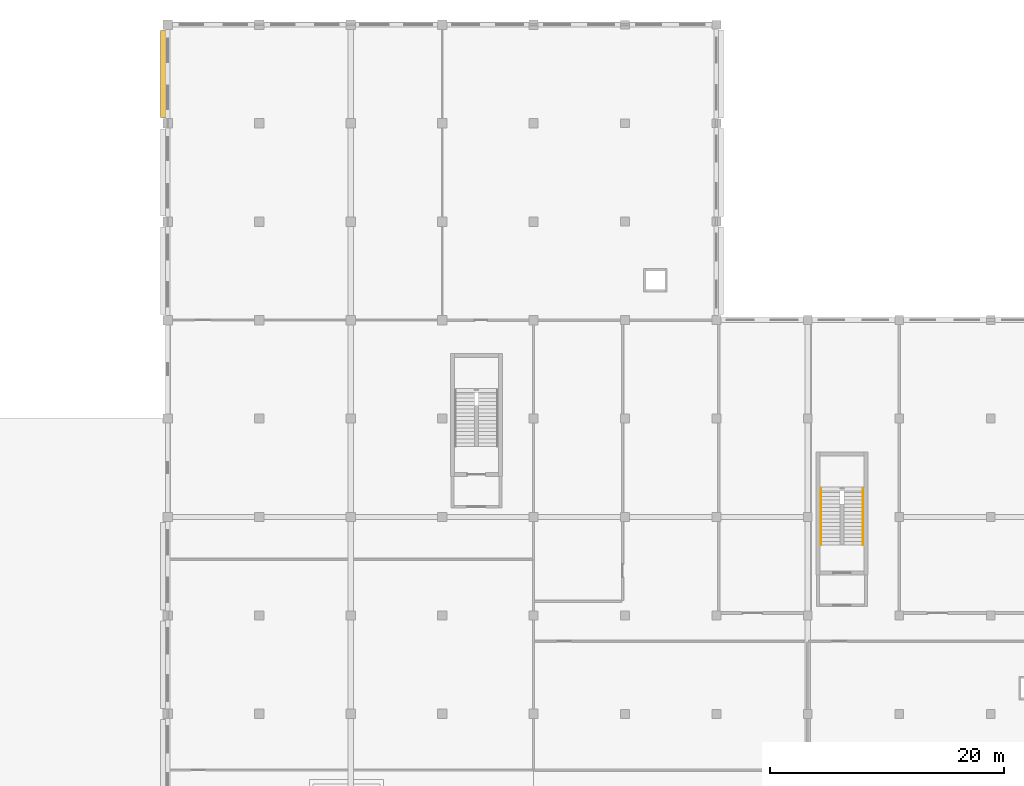
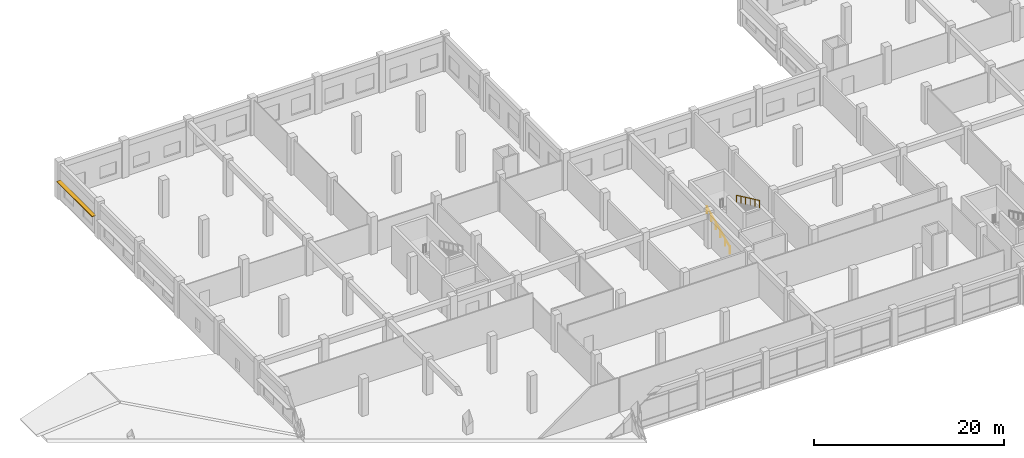
# One storey, part 58 of 62: 2 railings, 1 shading device.
"""IFC4 building model written with IfcOpenShell, lengths in metres."""

from ifc_helpers import new_model, si_unit, direction, frame, origin, origin_2d, place, context, subcontext, project, spatial, rectangle, circle, extrude, material, layer, layer_set, type_object, element, save


model = new_model("IFC4")

# Units and contexts
model_context = context("Model", 3, precision=1e-05, world=origin(), true_north=direction((0.0, 1.0)))
body_context = subcontext(model_context, "Body", "Model", "MODEL_VIEW")
ifc_project = project(units=[si_unit("LENGTHUNIT", "METRE"), si_unit("AREAUNIT", "SQUARE_METRE"), si_unit("VOLUMEUNIT", "CUBIC_METRE"), si_unit("PLANEANGLEUNIT", "RADIAN"), si_unit("MASSUNIT", "GRAM", prefix="KILO"), si_unit("THERMODYNAMICTEMPERATUREUNIT", "KELVIN"), si_unit("POWERUNIT", "WATT")], contexts=[model_context])

# Site, building, storey
site_placement = place(None, origin())
site = spatial("IfcSite", under=ifc_project, at=site_placement, CompositionType="ELEMENT")
building_placement = place(site_placement, origin())
building = spatial("IfcBuilding", under=site, at=building_placement, Name="Srebrne Nadtorze General Hospital", CompositionType="ELEMENT")
storey_placement = place(building_placement, frame((0.0, 0.0, 9.60009765625)))
storey = spatial("IfcBuildingStorey", under=building, at=storey_placement, Name="L02", CompositionType="ELEMENT", Elevation=9.60009765625)

# Shading device
ifc_material_1 = material(Name="Anodised Aluminium", Category="aluminium")
ifc_layer = layer(ifc_material_1, 0.080078125)
ifc_layer_set = layer_set([ifc_layer], Name="Anodised Aluminium")
shading_device_type = type_object("IfcShadingDeviceType", Name="Hisashi horizontal aluminium sunshade", PredefinedType="JALOUSIE", material=ifc_layer_set)
shading_device_placement = place(storey_placement, frame((23.02001953125, 113.39990234375, 2.419921875), z_axis=(0.0, 0.0, 1.0), x_axis=(1.0, 0.0, 0.0)))
element("IfcShadingDevice", 1, at=shading_device_placement, inside=storey, type_object=shading_device_type, Name="Hisashi horizontal sunshade eave LV-158", PredefinedType="JALOUSIE", context=body_context, shape_type="SweptSolid", body=[
    extrude(rectangle(XDim=0.47998046875, YDim=7.43994140625, at=origin_2d()), origin(), (0.0, 0.0, 1.0), 0.080078125),
])

# Railings
ifc_material_2 = material(Name="Stainless Steel 316", Category="steel")
railing_type = type_object("IfcRailingType", Name="Tubular stainless handrail 920", PredefinedType="HANDRAIL", material=ifc_material_2)
railing_1_placement = place(storey_placement, frame((79.1298828125, 73.199951171875, 0.14990234375)))
element("IfcRailing", 2, at=railing_1_placement, inside=storey, type_object=railing_type, Name="Stair flight handrail ST-07-L02 F1", PredefinedType="HANDRAIL", context=body_context, shape_type="SweptSolid", body=[
    extrude(circle(Radius=0.02392578125, at=origin_2d()), frame((0.0, 0.0, 0.89599609375), z_axis=(0.0, 0.90546059521, 0.424430336476), x_axis=(-1.0, 0.0, 0.0)), (0.0, 0.0, 1.0), 5.30126953125),
    extrude(circle(Radius=0.02099609375, at=origin_2d()), origin(), (0.0, 0.0, 1.0), 0.871826171875),
    extrude(circle(Radius=0.02099609375, at=origin_2d()), frame((0.0, 0.9599609375, 0.449951171875)), (0.0, 0.0, 1.0), 0.871826171875),
    extrude(circle(Radius=0.02099609375, at=origin_2d()), frame((0.0, 1.919921875, 0.89990234375)), (0.0, 0.0, 1.0), 0.871826171875),
    extrude(circle(Radius=0.02099609375, at=origin_2d()), frame((0.0, 2.880126953125, 1.35009765625)), (0.0, 0.0, 1.0), 0.871826171875),
    extrude(circle(Radius=0.02099609375, at=origin_2d()), frame((0.0, 3.840087890625, 1.800048828125)), (0.0, 0.0, 1.0), 0.871826171875),
    extrude(circle(Radius=0.02099609375, at=origin_2d()), frame((0.0, 4.800048828125, 2.25)), (0.0, 0.0, 1.0), 0.871826171875),
])
railing_2_placement = place(storey_placement, frame((82.719970703125, 78.0, 2.5498046875)))
element("IfcRailing", 3, at=railing_2_placement, inside=storey, type_object=railing_type, Name="Stair flight handrail ST-07-L02 F2", PredefinedType="HANDRAIL", context=body_context, shape_type="SweptSolid", body=[
    extrude(circle(Radius=0.02392578125, at=origin_2d()), frame((0.0, 0.0, 0.89599609375), z_axis=(0.0, -0.90546059521, 0.424430336476), x_axis=(1.0, 0.0, 0.0)), (0.0, 0.0, 1.0), 5.30126953125),
    extrude(circle(Radius=0.02099609375, at=origin_2d()), origin(), (0.0, 0.0, 1.0), 0.871826171875),
    extrude(circle(Radius=0.02099609375, at=origin_2d()), frame((0.0, -0.9599609375, 0.449951171875)), (0.0, 0.0, 1.0), 0.871826171875),
    extrude(circle(Radius=0.02099609375, at=origin_2d()), frame((0.0, -1.919921875, 0.89990234375)), (0.0, 0.0, 1.0), 0.871826171875),
    extrude(circle(Radius=0.02099609375, at=origin_2d()), frame((0.0, -2.880126953125, 1.35009765625)), (0.0, 0.0, 1.0), 0.871826171875),
    extrude(circle(Radius=0.02099609375, at=origin_2d()), frame((0.0, -3.840087890625, 1.800048828125)), (0.0, 0.0, 1.0), 0.871826171875),
    extrude(circle(Radius=0.02099609375, at=origin_2d()), frame((0.0, -4.800048828125, 2.25)), (0.0, 0.0, 1.0), 0.871826171875),
])

save(model, "model.ifc")
